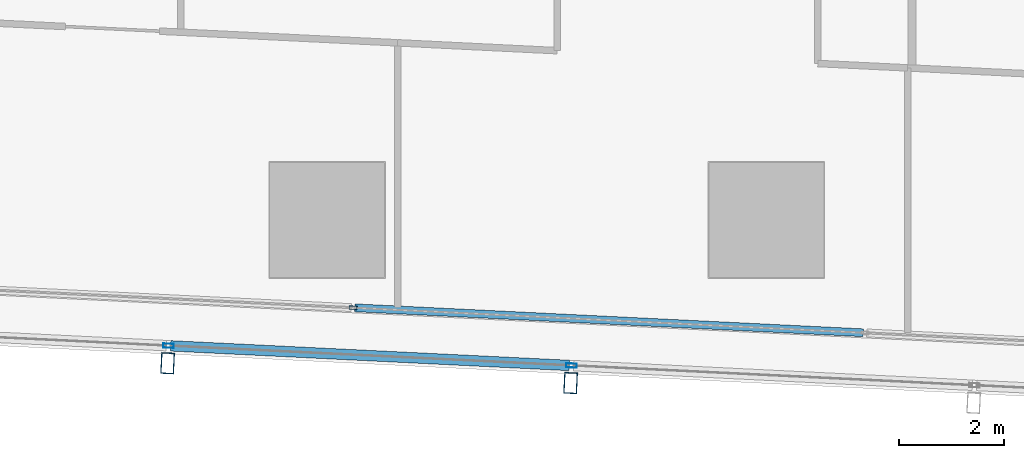
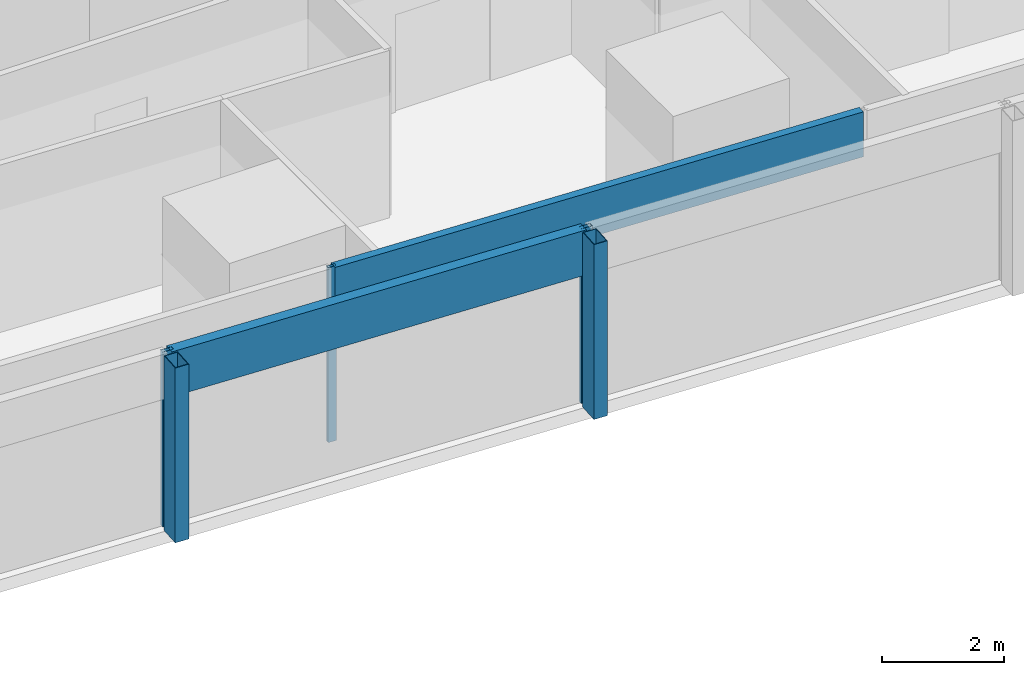
# One storey, part 5 of 44: 7 members, 2 elements without a shape of their own.
"""IFC4 building model written with IfcOpenShell, lengths in metres."""

from ifc_helpers import new_model, si_unit, direction, frame, origin, origin_2d, place, context, subcontext, project, spatial, hollow_rectangle, extrude, material, material_profile, profile_set, type_object, element, aggregate, save


model = new_model("IFC4")

# Units and contexts
model_context = context("Model", 3, precision=1e-05, world=origin(), true_north=direction((0.0, 1.0)))
body_context = subcontext(model_context, "Body", "Model", "MODEL_VIEW")
ifc_project = project(units=[si_unit("LENGTHUNIT", "METRE"), si_unit("AREAUNIT", "SQUARE_METRE"), si_unit("VOLUMEUNIT", "CUBIC_METRE"), si_unit("PLANEANGLEUNIT", "RADIAN"), si_unit("MASSUNIT", "GRAM", prefix="KILO")], contexts=[model_context])

# Site, building, storey
site_placement = place(None, origin())
site = spatial("IfcSite", under=ifc_project, at=site_placement, CompositionType="ELEMENT")
building_placement = place(site_placement, origin())
building = spatial("IfcBuilding", under=site, at=building_placement, Name="Rekha Terrace Tower", CompositionType="ELEMENT")
storey_placement = place(building_placement, frame((0.0, 0.0, 59.14990234375)))
storey = spatial("IfcBuildingStorey", under=building, at=storey_placement, Name="L14", CompositionType="ELEMENT", Elevation=59.14990234375)

# Curtain wall, members
ifc_material_1 = material(Name="Aluminium framing", Category="aluminium")
curtain_wall_type_1 = type_object("IfcCurtainWallType", Name="CW2 double skin outer glazing", PredefinedType="USERDEFINED", material=ifc_material_1)
curtain_wall_1_placement = place(storey_placement, origin())
curtain_wall_1 = element("IfcCurtainWall", 1, at=curtain_wall_1_placement, inside=storey, type_object=curtain_wall_type_1, Name="CW2 double skin outer glazing", ObjectType="DOUBLE SKIN OUTER GLAZING", PredefinedType="USERDEFINED")
ifc_material_2 = material(Name="Steel S355 with fluorocarbon finish", Category="steel")
ifc_material_profile_1 = material_profile(ifc_material_2, hollow_rectangle(XDim=0.25, YDim=0.39990234375, WallThickness=0.012451171875, at=origin_2d()), Name="RHS400x250x12.5")
ifc_profile_set_1 = profile_set([ifc_material_profile_1], Name="Steel S355 with fluorocarbon finish")
member_type_1 = type_object("IfcMemberType", Name="BL1 facade blade RHS 400 x 250", PredefinedType="USERDEFINED", material=ifc_profile_set_1)
member_1_placement = place(storey_placement, frame((22.14990234375, 5.6611328125, 0.0), z_axis=(0.0, 0.0, 1.0), x_axis=(0.998796226835, -0.049051985279, 0.0)))
member_1 = element("IfcMember", 2, at=member_1_placement, type_object=member_type_1, Name="Facade blade", ObjectType="FACADE BLADE", PredefinedType="USERDEFINED", context=body_context, shape_type="SweptSolid", body=[
    extrude(hollow_rectangle(XDim=0.25, YDim=0.39990234375, WallThickness=0.012451171875, at=origin_2d()), origin(), (0.0, 0.0, 1.0), 3.5),
])
member_2_placement = place(storey_placement, frame((29.856201171875, 5.28271484375, 0.0), z_axis=(0.0, 0.0, 1.0), x_axis=(0.998796226835, -0.049051985279, 0.0)))
member_2 = element("IfcMember", 3, at=member_2_placement, type_object=member_type_1, Name="Facade blade", ObjectType="FACADE BLADE", PredefinedType="USERDEFINED", context=body_context, shape_type="SweptSolid", body=[
    extrude(hollow_rectangle(XDim=0.25, YDim=0.39990234375, WallThickness=0.012451171875, at=origin_2d()), origin(), (0.0, 0.0, 1.0), 3.5),
])

curtain_wall_type_2 = type_object("IfcCurtainWallType", Name="CW1 double skin inner glazing", PredefinedType="USERDEFINED", material=ifc_material_1)
curtain_wall_2_placement = place(storey_placement, origin())
curtain_wall_2 = element("IfcCurtainWall", 4, at=curtain_wall_2_placement, inside=storey, type_object=curtain_wall_type_2, Name="CW1 double skin inner glazing", ObjectType="DOUBLE SKIN INNER GLAZING", PredefinedType="USERDEFINED")
ifc_material_3 = material(Name="Aluminium mullion section", Category="aluminium")
ifc_material_profile_2 = material_profile(ifc_material_3, hollow_rectangle(XDim=0.06494140625, YDim=0.14990234375, WallThickness=0.00390625, at=origin_2d()), Name="AL RHS 65x150")
ifc_profile_set_2 = profile_set([ifc_material_profile_2], Name="Aluminium mullion section")
member_type_2 = type_object("IfcMemberType", Name="CW1 mullion RHS 65 x 150", PredefinedType="MULLION", material=ifc_profile_set_2)
member_3_placement = place(storey_placement, frame((25.696044921875, 6.723388671875, 0.0), z_axis=(0.0, 0.0, 1.0), x_axis=(0.049051717746, 0.998796239974, 0.0)))
member_3 = element("IfcMember", 5, at=member_3_placement, type_object=member_type_2, Name="CW1 mullion 2", PredefinedType="MULLION", context=body_context, shape_type="SweptSolid", body=[
    extrude(hollow_rectangle(XDim=0.06494140625, YDim=0.14990234375, WallThickness=0.00390625, at=origin_2d()), origin(), (0.0, 0.0, 1.0), 3.5),
])
ifc_material_4 = material(Name="Insulated aluminium spandrel box", Category="aluminium")
ifc_material_profile_3 = material_profile(ifc_material_4, hollow_rectangle(XDim=0.14990234375, YDim=0.89990234375, WallThickness=0.0029296875, at=origin_2d()), Name="AL SPANDREL BOX 150x900")
ifc_profile_set_3 = profile_set([ifc_material_profile_3], Name="Insulated aluminium spandrel box")
member_type_3 = type_object("IfcMemberType", Name="CW1 spandrel transom 150 x 900", PredefinedType="USERDEFINED", material=ifc_profile_set_3)
member_4_placement = place(storey_placement, frame((25.728515625, 6.721923828125, 3.050048828125), z_axis=(0.998796042167, -0.049055745348, 0.0), x_axis=(0.049055745348, 0.998796042167, 0.0)))
member_4 = element("IfcMember", 6, at=member_4_placement, type_object=member_type_3, Name="CW1 spandrel transom 2", ObjectType="TRANSOM", PredefinedType="USERDEFINED", context=body_context, shape_type="SweptSolid", body=[
    extrude(hollow_rectangle(XDim=0.14990234375, YDim=0.89990234375, WallThickness=0.0029296875, at=origin_2d()), origin(), (0.0, 0.0, 1.0), 9.734619140625),
])
aggregate(curtain_wall_2, [member_3, member_4])

# Member
ifc_material_profile_4 = material_profile(ifc_material_3, hollow_rectangle(XDim=0.080078125, YDim=0.199951171875, WallThickness=0.00390625, at=origin_2d()), Name="AL RHS 80x200")
ifc_profile_set_4 = profile_set([ifc_material_profile_4], Name="Aluminium mullion section")
member_type_4 = type_object("IfcMemberType", Name="CW2 mullion RHS 80 x 200", PredefinedType="MULLION", material=ifc_profile_set_4)
member_5_placement = place(storey_placement, frame((22.166259765625, 5.99560546875, 0.0), z_axis=(0.0, 0.0, 1.0), x_axis=(0.049051717746, 0.998796239974, 0.0)))
member_5 = element("IfcMember", 7, at=member_5_placement, type_object=member_type_4, Name="CW2 mullion 3", PredefinedType="MULLION", context=body_context, shape_type="SweptSolid", body=[
    extrude(hollow_rectangle(XDim=0.080078125, YDim=0.199951171875, WallThickness=0.00390625, at=origin_2d()), origin(), (0.0, 0.0, 1.0), 3.5),
])

member_6_placement = place(storey_placement, frame((29.872802734375, 5.6171875, 0.0), z_axis=(0.0, 0.0, 1.0), x_axis=(0.049051717746, 0.998796239974, 0.0)))
member_6 = element("IfcMember", 8, at=member_6_placement, type_object=member_type_4, Name="CW2 mullion 4", PredefinedType="MULLION", context=body_context, shape_type="SweptSolid", body=[
    extrude(hollow_rectangle(XDim=0.080078125, YDim=0.199951171875, WallThickness=0.00390625, at=origin_2d()), origin(), (0.0, 0.0, 1.0), 3.5),
])

ifc_material_profile_5 = material_profile(ifc_material_4, hollow_rectangle(XDim=0.199951171875, YDim=0.89990234375, WallThickness=0.0029296875, at=origin_2d()), Name="AL SPANDREL BOX 200x900")
ifc_profile_set_5 = profile_set([ifc_material_profile_5], Name="Insulated aluminium spandrel box")
member_type_5 = type_object("IfcMemberType", Name="CW2 spandrel transom 200 x 900", PredefinedType="USERDEFINED", material=ifc_profile_set_5)
member_7_placement = place(storey_placement, frame((22.206298828125, 5.99365234375, 3.050048828125), z_axis=(0.998796434643, -0.049047753721, 0.0), x_axis=(0.049047753721, 0.998796434643, 0.0)))
member_7 = element("IfcMember", 9, at=member_7_placement, type_object=member_type_5, Name="CW2 spandrel transom 3", ObjectType="TRANSOM", PredefinedType="USERDEFINED", context=body_context, shape_type="SweptSolid", body=[
    extrude(hollow_rectangle(XDim=0.199951171875, YDim=0.89990234375, WallThickness=0.0029296875, at=origin_2d()), origin(), (0.0, 0.0, 1.0), 7.6357421875),
])

aggregate(curtain_wall_1, [member_5, member_6, member_7, member_1, member_2])

save(model, "model.ifc")
